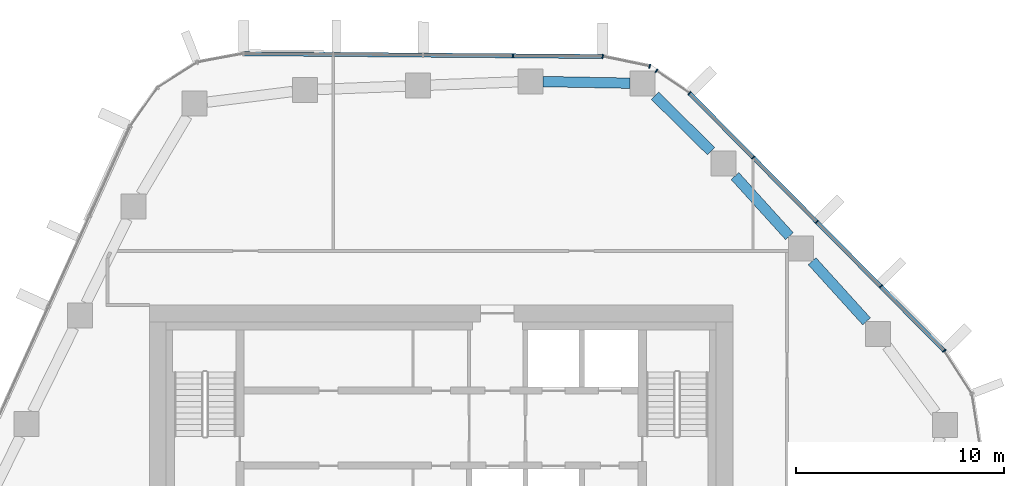
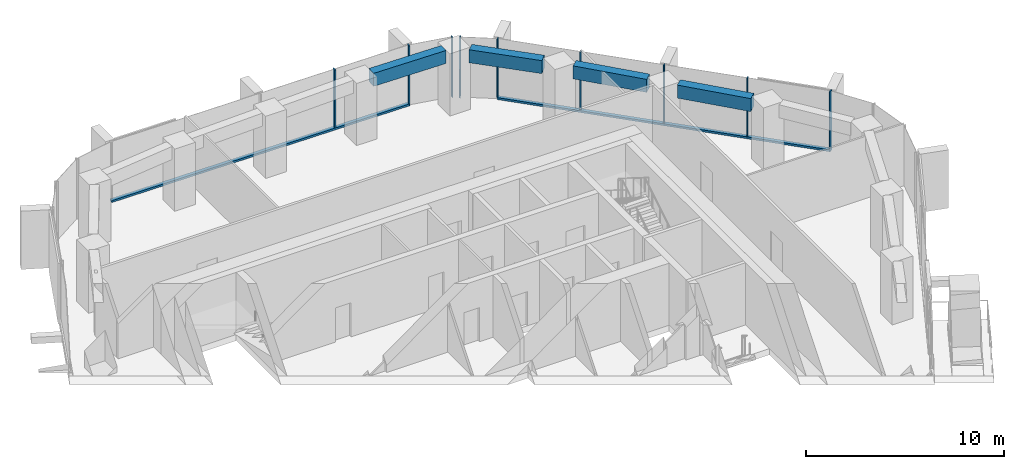
# One storey, part 6 of 17: 11 members, 4 beams, 5 elements without a shape of their own.
"""IFC4 building model written with IfcOpenShell, lengths in metres."""

from ifc_helpers import new_model, si_unit, direction, frame, origin, origin_2d, place, context, subcontext, project, spatial, rectangle, extrude, material, layer, layer_set, material_profile, profile_set, type_object, element, aggregate, save


model = new_model("IFC4")

# Units and contexts
model_context = context("Model", 3, precision=1e-05, world=origin(), true_north=direction((0.0, 1.0)))
body_context = subcontext(model_context, "Body", "Model", "MODEL_VIEW")
ifc_project = project(units=[si_unit("LENGTHUNIT", "METRE"), si_unit("AREAUNIT", "SQUARE_METRE"), si_unit("VOLUMEUNIT", "CUBIC_METRE"), si_unit("PLANEANGLEUNIT", "RADIAN"), si_unit("MASSUNIT", "GRAM", prefix="KILO")], contexts=[model_context])

# Site, building, storey
site_placement = place(None, origin())
site = spatial("IfcSite", under=ifc_project, at=site_placement, CompositionType="ELEMENT")
building_placement = place(site_placement, origin())
building = spatial("IfcBuilding", under=site, at=building_placement, Name="Dongbaek Canopy Tower", CompositionType="ELEMENT")
storey_placement = place(building_placement, frame((0.0, 0.0, 175.39990234375)))
storey = spatial("IfcBuildingStorey", under=building, at=storey_placement, Name="L38", CompositionType="ELEMENT", Elevation=175.39990234375)

# Curtain wall, member
ifc_material_1 = material(Name="Aluminium 6063-T6 pale anodised", Category="aluminium")
ifc_layer = layer(ifc_material_1, 0.199951171875)
ifc_layer_set = layer_set([ifc_layer], Name="CW-1 unitised tower curtain wall")
curtain_wall_type = type_object("IfcCurtainWallType", Name="CW-1 unitised tower curtain wall", PredefinedType="NOTDEFINED", material=ifc_layer_set)
curtain_wall_1_placement = place(storey_placement, origin())
curtain_wall_1 = element("IfcCurtainWall", 1, at=curtain_wall_1_placement, inside=storey, type_object=curtain_wall_type, Name="CW-1 curtain wall K0.1", PredefinedType="NOTDEFINED")
ifc_material_2 = material(Name="Aluminium 6063-T6 pale anodised", Category="aluminium")
ifc_material_profile_1 = material_profile(ifc_material_2, rectangle(XDim=0.199951171875, YDim=0.06005859375, at=origin_2d()), Name="CW-1 mullion 60 x 200")
ifc_profile_set_1 = profile_set([ifc_material_profile_1], Name="Aluminium 6063-T6 pale anodised")
member_type_1 = type_object("IfcMemberType", Name="CW-1 mullion 60 x 200", PredefinedType="MULLION", material=ifc_profile_set_1)
member_1_placement = place(storey_placement, frame((24.14794921875, 8.80712890625, 0.0), z_axis=(0.0, 0.0, 1.0), x_axis=(0.840961641998, 0.541094739105, 0.0)))
member_1 = element("IfcMember", 2, at=member_1_placement, type_object=member_type_1, Name="CW-1 mullion K0.1.4", PredefinedType="MULLION", context=body_context, shape_type="SweptSolid", body=[
    extrude(rectangle(XDim=0.199951171875, YDim=0.06005859375, at=origin_2d()), origin(), (0.0, 0.0, 1.0), 3.7001953125),
])
aggregate(curtain_wall_1, [member_1])

# Curtain wall, members
curtain_wall_2_placement = place(storey_placement, origin())
curtain_wall_2 = element("IfcCurtainWall", 3, at=curtain_wall_2_placement, inside=storey, type_object=curtain_wall_type, Name="CW-1 curtain wall F0.1", PredefinedType="NOTDEFINED")
member_2_placement = place(storey_placement, frame((21.094970703125, 11.893798828125, 0.1201171875), z_axis=(0.0, 0.0, 1.0), x_axis=(0.710991357912, 0.703200745857, 0.0)))
member_2 = element("IfcMember", 4, at=member_2_placement, type_object=member_type_1, Name="CW-1 mullion F0.1.2", PredefinedType="MULLION", context=body_context, shape_type="SweptSolid", body=[
    extrude(rectangle(XDim=0.199951171875, YDim=0.06005859375, at=origin_2d()), origin(), (0.0, 0.0, 1.0), 3.580078125),
])
member_3_placement = place(storey_placement, frame((18.034912109375, 14.988037109375, 0.1201171875), z_axis=(0.0, 0.0, 1.0), x_axis=(0.710991357912, 0.703200745857, 0.0)))
member_3 = element("IfcMember", 5, at=member_3_placement, type_object=member_type_1, Name="CW-1 mullion F0.1.3", PredefinedType="MULLION", context=body_context, shape_type="SweptSolid", body=[
    extrude(rectangle(XDim=0.199951171875, YDim=0.06005859375, at=origin_2d()), origin(), (0.0, 0.0, 1.0), 3.580078125),
])
member_4_placement = place(storey_placement, frame((14.974609375, 18.08203125, 0.1201171875), z_axis=(0.0, 0.0, 1.0), x_axis=(0.710991357912, 0.703200745857, 0.0)))
member_4 = element("IfcMember", 6, at=member_4_placement, type_object=member_type_1, Name="CW-1 mullion F0.1.4", PredefinedType="MULLION", context=body_context, shape_type="SweptSolid", body=[
    extrude(rectangle(XDim=0.199951171875, YDim=0.06005859375, at=origin_2d()), origin(), (0.0, 0.0, 1.0), 3.580078125),
])
member_5_placement = place(storey_placement, frame((11.92138671875, 21.169189453125, 0.1201171875), z_axis=(0.0, 0.0, 1.0), x_axis=(0.710991357912, 0.703200745857, 0.0)))
member_5 = element("IfcMember", 7, at=member_5_placement, type_object=member_type_1, Name="CW-1 mullion F0.1.5", PredefinedType="MULLION", context=body_context, shape_type="SweptSolid", body=[
    extrude(rectangle(XDim=0.199951171875, YDim=0.06005859375, at=origin_2d()), origin(), (0.0, 0.0, 1.0), 3.580078125),
])

# Curtain wall, member
curtain_wall_3_placement = place(storey_placement, origin())
curtain_wall_3 = element("IfcCurtainWall", 8, at=curtain_wall_3_placement, inside=storey, type_object=curtain_wall_type, Name="CW-1 curtain wall K1.1a", PredefinedType="NOTDEFINED")
member_6_placement = place(storey_placement, frame((10.3388671875, 22.240478515625, 0.0), z_axis=(0.0, 0.0, 1.0), x_axis=(0.560626417041, 0.828068850106, 0.0)))
member_6 = element("IfcMember", 9, at=member_6_placement, type_object=member_type_1, Name="CW-1 mullion K1.1a.2", PredefinedType="MULLION", context=body_context, shape_type="SweptSolid", body=[
    extrude(rectangle(XDim=0.199951171875, YDim=0.06005859375, at=origin_2d()), origin(), (0.0, 0.0, 1.0), 3.7001953125),
])
aggregate(curtain_wall_3, [member_6])

# Curtain wall, members
curtain_wall_4_placement = place(storey_placement, origin())
curtain_wall_4 = element("IfcCurtainWall", 10, at=curtain_wall_4_placement, inside=storey, type_object=curtain_wall_type, Name="CW-1 curtain wall K1.1b", PredefinedType="NOTDEFINED")
member_7_placement = place(storey_placement, frame((10.012939453125, 22.461181640625, 0.0), z_axis=(0.0, 0.0, 1.0), x_axis=(0.202208307545, 0.979342534744, 0.0)))
member_7 = element("IfcMember", 11, at=member_7_placement, type_object=member_type_1, Name="CW-1 mullion K1.1b.1", PredefinedType="MULLION", context=body_context, shape_type="SweptSolid", body=[
    extrude(rectangle(XDim=0.199951171875, YDim=0.06005859375, at=origin_2d()), origin(), (0.0, 0.0, 1.0), 3.7001953125),
])
member_8_placement = place(storey_placement, frame((7.756103515625, 22.92724609375, 0.0), z_axis=(0.0, 0.0, 1.0), x_axis=(0.202208307545, 0.979342534744, 0.0)))
member_8 = element("IfcMember", 12, at=member_8_placement, type_object=member_type_1, Name="CW-1 mullion K1.1b.2", PredefinedType="MULLION", context=body_context, shape_type="SweptSolid", body=[
    extrude(rectangle(XDim=0.199951171875, YDim=0.06005859375, at=origin_2d()), origin(), (0.0, 0.0, 1.0), 3.7001953125),
])
aggregate(curtain_wall_4, [member_7, member_8])

# Curtain wall, member
curtain_wall_5_placement = place(storey_placement, origin())
curtain_wall_5 = element("IfcCurtainWall", 13, at=curtain_wall_5_placement, inside=storey, type_object=curtain_wall_type, Name="CW-1 curtain wall F1.1", PredefinedType="NOTDEFINED")
member_9_placement = place(storey_placement, frame((3.452880859375, 22.9609375, 0.1201171875), z_axis=(0.0, 0.0, 1.0), x_axis=(0.007847305301, 0.999969209426, 0.0)))
member_9 = element("IfcMember", 14, at=member_9_placement, type_object=member_type_1, Name="CW-1 mullion F1.1.2", PredefinedType="MULLION", context=body_context, shape_type="SweptSolid", body=[
    extrude(rectangle(XDim=0.199951171875, YDim=0.06005859375, at=origin_2d()), origin(), (0.0, 0.0, 1.0), 3.580078125),
])

# Member
ifc_material_3 = material(Name="Aluminium 6063-T6 pale anodised", Category="aluminium")
ifc_material_profile_2 = material_profile(ifc_material_3, rectangle(XDim=0.199951171875, YDim=0.1201171875, at=origin_2d()), Name="CW-1 transom 120 x 200")
ifc_profile_set_2 = profile_set([ifc_material_profile_2], Name="Aluminium 6063-T6 pale anodised")
member_type_2 = type_object("IfcMemberType", Name="CW-1 transom 120 x 200", PredefinedType="USERDEFINED", material=ifc_profile_set_2)
member_10_placement = place(storey_placement, frame((24.14794921875, 8.80712890625, 0.06005859375), z_axis=(-0.703199522268, 0.710992568092, 0.0), x_axis=(-0.710992568092, -0.703199522268, 0.0)))
member_10 = element("IfcMember", 15, at=member_10_placement, type_object=member_type_2, Name="CW-1 transom F0.1.1", ObjectType="TRANSOM", PredefinedType="USERDEFINED", context=body_context, shape_type="SweptSolid", body=[
    extrude(rectangle(XDim=0.199951171875, YDim=0.1201171875, at=origin_2d()), origin(), (0.0, 0.0, 1.0), 17.386962890625),
])

aggregate(curtain_wall_2, [member_2, member_3, member_4, member_5, member_10])

member_11_placement = place(storey_placement, frame((7.756103515625, 22.92724609375, 0.06005859375), z_axis=(-0.999969201304, 0.007848340146, 0.0), x_axis=(-0.007848340146, -0.999969201304, 0.0)))
member_11 = element("IfcMember", 16, at=member_11_placement, type_object=member_type_2, Name="CW-1 transom F1.1.1", ObjectType="TRANSOM", PredefinedType="USERDEFINED", context=body_context, shape_type="SweptSolid", body=[
    extrude(rectangle(XDim=0.199951171875, YDim=0.1201171875, at=origin_2d()), origin(), (0.0, 0.0, 1.0), 17.2333984375),
])

aggregate(curtain_wall_5, [member_9, member_11])

# Beams
ifc_material_4 = material(Name="Concrete C70", Category="concrete")
ifc_material_profile_3 = material_profile(ifc_material_4, rectangle(XDim=0.5, YDim=0.800048828125, at=origin_2d()), Name="RC EDGE BEAM 500x800 C70")
ifc_profile_set_3 = profile_set([ifc_material_profile_3], Name="Concrete C70")
beam_type = type_object("IfcBeamType", Name="RC EDGE BEAM 500x800 C70", PredefinedType="BEAM", material=ifc_profile_set_3)
beam_1_placement = place(storey_placement, frame((4.89501953125, 21.724609375, 3.420166015625), z_axis=(0.999823523871, -0.018786194753, 0.0), x_axis=(0.018786194753, 0.999823523871, 0.0)))
element("IfcBeam", 17, at=beam_1_placement, inside=storey, type_object=beam_type, Name="EDGEBEAM:L38:16", PredefinedType="BEAM", context=body_context, shape_type="SweptSolid", body=[
    extrude(rectangle(XDim=0.5, YDim=0.800048828125, at=origin_2d()), origin(), (0.0, 0.0, 1.0), 4.171630859375),
])
beam_2_placement = place(storey_placement, frame((10.26611328125, 21.04296875, 3.420166015625), z_axis=(0.711703560094, -0.702479923236, 0.0), x_axis=(0.702479923236, 0.711703560094, 0.0)))
element("IfcBeam", 18, at=beam_2_placement, inside=storey, type_object=beam_type, Name="EDGEBEAM:L38:17", PredefinedType="BEAM", context=body_context, shape_type="SweptSolid", body=[
    extrude(rectangle(XDim=0.5, YDim=0.800048828125, at=origin_2d()), origin(), (0.0, 0.0, 1.0), 3.78515625),
])
beam_3_placement = place(storey_placement, frame((14.103515625, 17.19189453125, 3.420166015625), z_axis=(0.67132037677, -0.741167289978, 0.0), x_axis=(0.741167289978, 0.67132037677, 0.0)))
element("IfcBeam", 19, at=beam_3_placement, inside=storey, type_object=beam_type, Name="EDGEBEAM:L38:18", PredefinedType="BEAM", context=body_context, shape_type="SweptSolid", body=[
    extrude(rectangle(XDim=0.5, YDim=0.800048828125, at=origin_2d()), origin(), (0.0, 0.0, 1.0), 3.893798828125),
])
beam_4_placement = place(storey_placement, frame((17.80419921875, 13.10595703125, 3.420166015625), z_axis=(0.671238468475, -0.741241471074, 0.0), x_axis=(0.741241471074, 0.671238468475, 0.0)))
element("IfcBeam", 20, at=beam_4_placement, inside=storey, type_object=beam_type, Name="EDGEBEAM:L38:19", PredefinedType="BEAM", context=body_context, shape_type="SweptSolid", body=[
    extrude(rectangle(XDim=0.5, YDim=0.800048828125, at=origin_2d()), origin(), (0.0, 0.0, 1.0), 3.89208984375),
])

save(model, "model.ifc")
